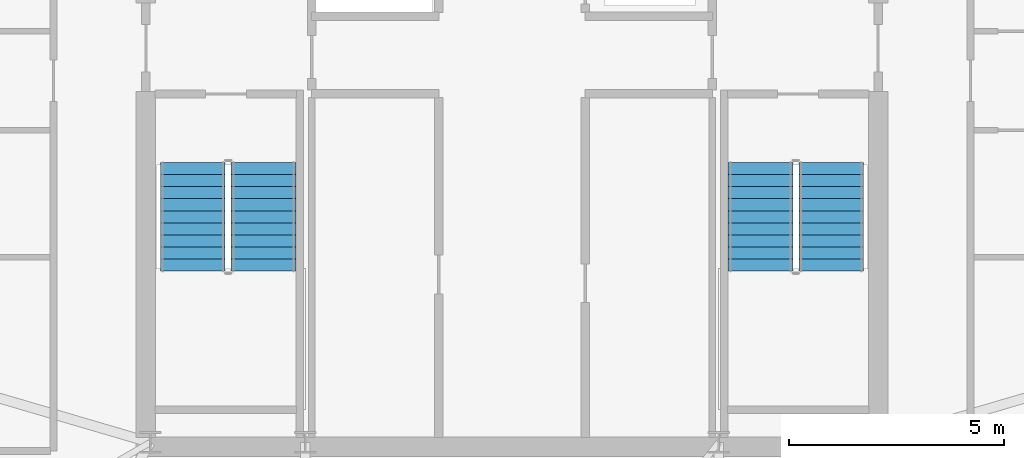
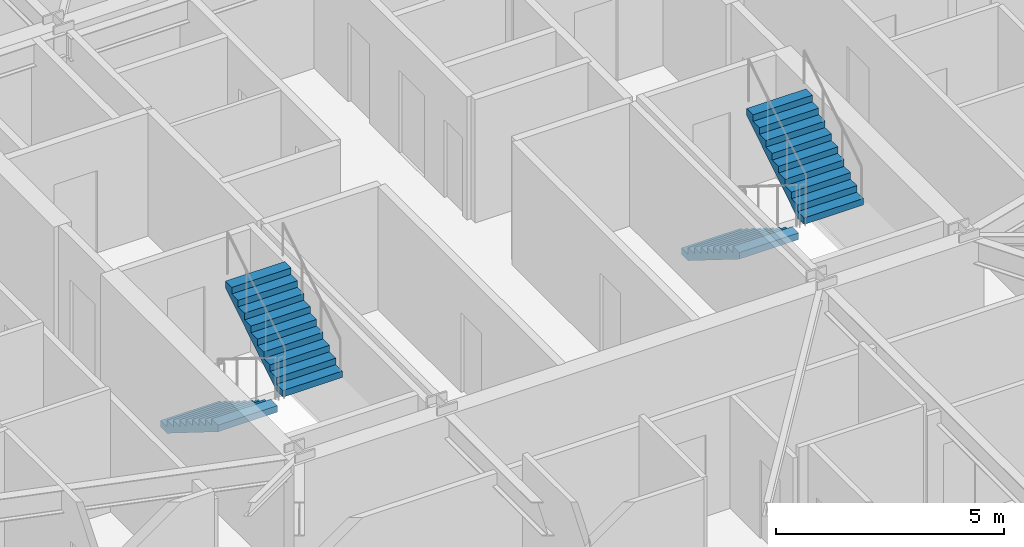
# One storey, part 11 of 15: 4 stair flights, 2 elements without a shape of their own.
"""IFC4 building model written with IfcOpenShell, lengths in metres."""

from ifc_helpers import new_model, si_unit, direction, frame, origin, place, context, subcontext, project, spatial, polyline, outline, extrude, material, type_object, element, aggregate, save


model = new_model("IFC4")

# Units and contexts
model_context = context("Model", 3, precision=1e-05, world=origin(), true_north=direction((0.0, 1.0)))
body_context = subcontext(model_context, "Body", "Model", "MODEL_VIEW")
ifc_project = project(units=[si_unit("LENGTHUNIT", "METRE"), si_unit("AREAUNIT", "SQUARE_METRE"), si_unit("VOLUMEUNIT", "CUBIC_METRE"), si_unit("PLANEANGLEUNIT", "RADIAN"), si_unit("MASSUNIT", "GRAM", prefix="KILO")], contexts=[model_context])

# Site, building, storey
site_placement = place(None, origin())
site = spatial("IfcSite", under=ifc_project, at=site_placement, CompositionType="ELEMENT")
building_placement = place(site_placement, origin())
building = spatial("IfcBuilding", under=site, at=building_placement, Name="Cairnveth Concourse Tower", CompositionType="ELEMENT")
storey_placement = place(building_placement, frame((0.0, 0.0, 287.5)))
storey = spatial("IfcBuildingStorey", under=building, at=storey_placement, Name="L79", CompositionType="ELEMENT", Elevation=287.5)

# Stair, stair flights
ifc_material = material(Name="Precast concrete N50 (50 MPa)", Category="concrete")
stair_type = type_object("IfcStairType", Name="CORE DOG-LEG FIRE STAIR 1500", PredefinedType="HALF_TURN_STAIR", material=ifc_material)
stair_1_placement = place(storey_placement, origin())
stair_1 = element("IfcStair", 1, at=stair_1_placement, inside=storey, type_object=stair_type, Name="L79 Fire-Isolated Stair ST-1", PredefinedType="HALF_TURN_STAIR")
stair_flight_type = type_object("IfcStairFlightType", Name="PRECAST CONCRETE STAIR FLIGHT 1500", PredefinedType="STRAIGHT", material=ifc_material)
stair_flight_1_placement = place(storey_placement, frame((44.590087890625, 37.10009765625, 0.0), z_axis=(0.0, 0.0, 1.0), x_axis=(0.0, -1.0, 0.0)))
stair_flight_1 = element("IfcStairFlight", 2, at=stair_flight_1_placement, type_object=stair_flight_type, Name="ST-1 flight 1", NumberOfRisers=10, NumberOfTreads=9, PredefinedType="STRAIGHT", RiserHeight=0.175, TreadLength=0.28, context=body_context, shape_type="SweptSolid", body=[
    extrude(outline(polyline([(0.0, 0.0), (0.0, 0.175048828125), (0.280029296875, 0.175048828125), (0.280029296875, 0.35009765625), (0.56005859375, 0.35009765625), (0.56005859375, 0.52490234375), (0.840087890625, 0.52490234375), (0.840087890625, 0.699951171875), (1.1201171875, 0.699951171875), (1.1201171875, 0.875), (1.39990234375, 0.875), (1.39990234375, 1.050048828125), (1.679931640625, 1.050048828125), (1.679931640625, 1.22509765625), (1.9599609375, 1.22509765625), (1.9599609375, 1.39990234375), (2.239990234375, 1.39990234375), (2.239990234375, 1.574951171875), (2.52001953125, 1.574951171875), (2.52001953125, 1.75), (2.52001953125, 1.398193359375), (0.28271484375, 0.0), (0.0, 0.0)])), frame((0.0, 0.75, 0.0), z_axis=(0.0, -1.0, 0.0), x_axis=(1.0, 0.0, 0.0)), (0.0, 0.0, 1.0), 1.5),
])
stair_flight_2_placement = place(storey_placement, frame((46.22998046875, 34.580078125, 1.75), z_axis=(0.0, 0.0, 1.0), x_axis=(0.0, 1.0, 0.0)))
stair_flight_2 = element("IfcStairFlight", 3, at=stair_flight_2_placement, type_object=stair_flight_type, Name="ST-1 flight 2", NumberOfRisers=10, NumberOfTreads=9, PredefinedType="STRAIGHT", RiserHeight=0.175, TreadLength=0.28, context=body_context, shape_type="SweptSolid", body=[
    extrude(outline(polyline([(0.0, 0.0), (0.0, 0.175048828125), (0.280029296875, 0.175048828125), (0.280029296875, 0.35009765625), (0.56005859375, 0.35009765625), (0.56005859375, 0.52490234375), (0.840087890625, 0.52490234375), (0.840087890625, 0.699951171875), (1.1201171875, 0.699951171875), (1.1201171875, 0.875), (1.39990234375, 0.875), (1.39990234375, 1.050048828125), (1.679931640625, 1.050048828125), (1.679931640625, 1.22509765625), (1.9599609375, 1.22509765625), (1.9599609375, 1.39990234375), (2.239990234375, 1.39990234375), (2.239990234375, 1.574951171875), (2.52001953125, 1.574951171875), (2.52001953125, 1.75), (2.52001953125, 1.398193359375), (0.28271484375, 0.0), (0.0, 0.0)])), frame((0.0, 0.75, 0.0), z_axis=(0.0, -1.0, 0.0), x_axis=(1.0, 0.0, 0.0)), (0.0, 0.0, 1.0), 1.5),
])
aggregate(stair_1, [stair_flight_1, stair_flight_2])

stair_2_placement = place(storey_placement, origin())
stair_2 = element("IfcStair", 4, at=stair_2_placement, inside=storey, type_object=stair_type, Name="L79 Fire-Isolated Stair ST-2", PredefinedType="HALF_TURN_STAIR")
stair_flight_3_placement = place(storey_placement, frame((57.77001953125, 37.10009765625, 0.0), z_axis=(0.0, 0.0, 1.0), x_axis=(0.0, -1.0, 0.0)))
stair_flight_3 = element("IfcStairFlight", 5, at=stair_flight_3_placement, type_object=stair_flight_type, Name="ST-2 flight 1", NumberOfRisers=10, NumberOfTreads=9, PredefinedType="STRAIGHT", RiserHeight=0.175, TreadLength=0.28, context=body_context, shape_type="SweptSolid", body=[
    extrude(outline(polyline([(0.0, 0.0), (0.0, 0.175048828125), (0.280029296875, 0.175048828125), (0.280029296875, 0.35009765625), (0.56005859375, 0.35009765625), (0.56005859375, 0.52490234375), (0.840087890625, 0.52490234375), (0.840087890625, 0.699951171875), (1.1201171875, 0.699951171875), (1.1201171875, 0.875), (1.39990234375, 0.875), (1.39990234375, 1.050048828125), (1.679931640625, 1.050048828125), (1.679931640625, 1.22509765625), (1.9599609375, 1.22509765625), (1.9599609375, 1.39990234375), (2.239990234375, 1.39990234375), (2.239990234375, 1.574951171875), (2.52001953125, 1.574951171875), (2.52001953125, 1.75), (2.52001953125, 1.398193359375), (0.28271484375, 0.0), (0.0, 0.0)])), frame((0.0, 0.75, 0.0), z_axis=(0.0, -1.0, 0.0), x_axis=(1.0, 0.0, 0.0)), (0.0, 0.0, 1.0), 1.5),
])
stair_flight_4_placement = place(storey_placement, frame((59.409912109375, 34.580078125, 1.75), z_axis=(0.0, 0.0, 1.0), x_axis=(0.0, 1.0, 0.0)))
stair_flight_4 = element("IfcStairFlight", 6, at=stair_flight_4_placement, type_object=stair_flight_type, Name="ST-2 flight 2", NumberOfRisers=10, NumberOfTreads=9, PredefinedType="STRAIGHT", RiserHeight=0.175, TreadLength=0.28, context=body_context, shape_type="SweptSolid", body=[
    extrude(outline(polyline([(0.0, 0.0), (0.0, 0.175048828125), (0.280029296875, 0.175048828125), (0.280029296875, 0.35009765625), (0.56005859375, 0.35009765625), (0.56005859375, 0.52490234375), (0.840087890625, 0.52490234375), (0.840087890625, 0.699951171875), (1.1201171875, 0.699951171875), (1.1201171875, 0.875), (1.39990234375, 0.875), (1.39990234375, 1.050048828125), (1.679931640625, 1.050048828125), (1.679931640625, 1.22509765625), (1.9599609375, 1.22509765625), (1.9599609375, 1.39990234375), (2.239990234375, 1.39990234375), (2.239990234375, 1.574951171875), (2.52001953125, 1.574951171875), (2.52001953125, 1.75), (2.52001953125, 1.398193359375), (0.28271484375, 0.0), (0.0, 0.0)])), frame((0.0, 0.75, 0.0), z_axis=(0.0, -1.0, 0.0), x_axis=(1.0, 0.0, 0.0)), (0.0, 0.0, 1.0), 1.5),
])
aggregate(stair_2, [stair_flight_3, stair_flight_4])

save(model, "model.ifc")
